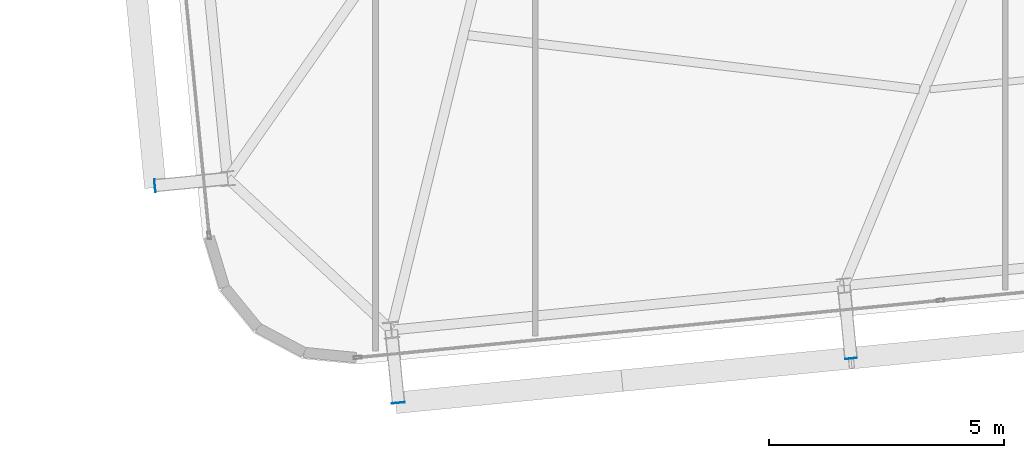
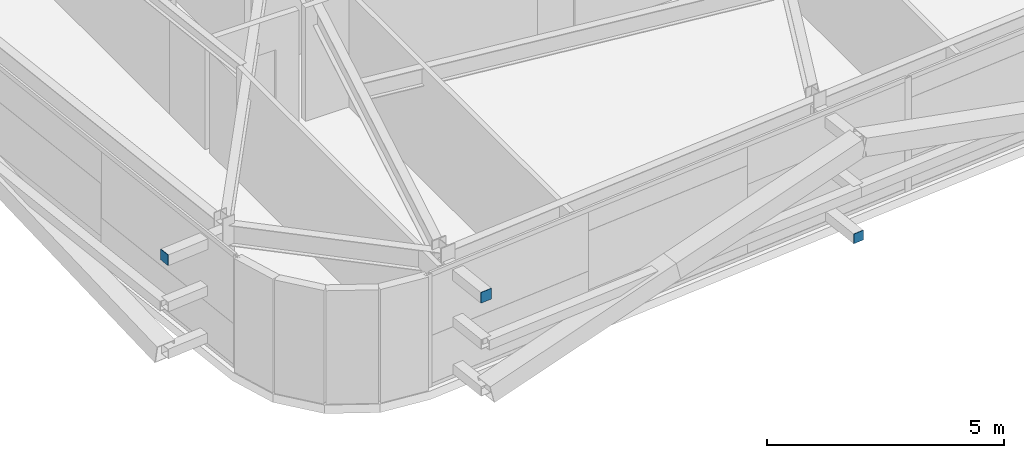
# One storey, part 33 of 47: 3 plates.
"""IFC4 building model written with IfcOpenShell, lengths in metres."""

from ifc_helpers import new_model, si_unit, direction, frame, origin, origin_2d, place, context, subcontext, project, spatial, rectangle, extrude, source, transform, mapped, material, layer, layer_set, type_object, element, save


model = new_model("IFC4")

# Units and contexts
model_context = context("Model", 3, precision=1e-05, world=origin(), true_north=direction((0.0, 1.0)))
body_context = subcontext(model_context, "Body", "Model", "MODEL_VIEW")
ifc_project = project(units=[si_unit("LENGTHUNIT", "METRE"), si_unit("AREAUNIT", "SQUARE_METRE"), si_unit("VOLUMEUNIT", "CUBIC_METRE"), si_unit("PLANEANGLEUNIT", "RADIAN"), si_unit("MASSUNIT", "GRAM", prefix="KILO")], contexts=[model_context])

# Site, building, storey
site_placement = place(None, origin())
site = spatial("IfcSite", under=ifc_project, at=site_placement, CompositionType="ELEMENT")
building_placement = place(site_placement, origin())
building = spatial("IfcBuilding", under=site, at=building_placement, Name="Taldren Reach Tower", CompositionType="ELEMENT")
storey_placement = place(building_placement, frame((0.0, 0.0, 106.050048828125)))
storey = spatial("IfcBuildingStorey", under=building, at=storey_placement, Name="L32", CompositionType="ELEMENT", Elevation=106.050048828125)

# Plates
ifc_material_1 = material(Name="Steel Gr 450 (C450L0)", Category="steel")
ifc_layer_1 = layer(ifc_material_1, 0.011962890625)
ifc_layer_set_1 = layer_set([ifc_layer_1], Name="Steel Gr 450 (C450L0)")
plate_type_1 = type_object("IfcPlateType", Name="PL-CAP-275", PredefinedType="SHEET", material=ifc_layer_set_1)
shared_shape_1 = source(origin(), body_context, "Body", "SweptSolid", [
    extrude(rectangle(XDim=0.27490234375, YDim=0.011962890625, at=origin_2d()), origin(), (0.0, 0.0, 1.0), 0.27490234375),
])
plate_1_placement = place(storey_placement, frame((15.0859375, -1.62841796875, 2.512451171875), z_axis=(0.0, 0.0, 1.0), x_axis=(0.995227399982, 0.097582899759, 0.0)))
element("IfcPlate", 1, at=plate_1_placement, inside=storey, type_object=plate_type_1, Name="Tie strut end cap plate B2-S1 L32", PredefinedType="SHEET", context=body_context, shape_type="MappedRepresentation", body=[
    mapped(shared_shape_1, transform((0.0, 0.0, 0.0), scale=1.0)),
])
shared_shape_2 = source(origin(), body_context, "Body", "SweptSolid", [
    extrude(rectangle(XDim=0.011962890625, YDim=0.27490234375, at=origin_2d()), origin(), (0.0, 0.0, 1.0), 0.27490234375),
])
plate_2_placement = place(storey_placement, frame((9.904296875, 2.993896484375, 2.512451171875), z_axis=(0.0, 0.0, 1.0), x_axis=(0.995227399982, 0.097582899759, 0.0)))
element("IfcPlate", 2, at=plate_2_placement, inside=storey, type_object=plate_type_1, Name="Tie strut end cap plate B2-W1 L32", PredefinedType="SHEET", context=body_context, shape_type="MappedRepresentation", body=[
    mapped(shared_shape_2, transform((0.0, 0.0, 0.0), scale=1.0)),
])
ifc_material_2 = material(Name="Steel Gr 350 (C350L0)", Category="steel")
ifc_layer_2 = layer(ifc_material_2, 0.011962890625)
ifc_layer_set_2 = layer_set([ifc_layer_2], Name="Steel Gr 350 (C350L0)")
plate_type_2 = type_object("IfcPlateType", Name="PL-CAP-250", PredefinedType="SHEET", material=ifc_layer_set_2)
shared_shape_3 = source(origin(), body_context, "Body", "SweptSolid", [
    extrude(rectangle(XDim=0.25, YDim=0.011962890625, at=origin_2d()), origin(), (0.0, 0.0, 1.0), 0.25),
])
plate_3_placement = place(storey_placement, frame((24.7197265625, -0.683837890625, 0.094970703125), z_axis=(0.0, 0.0, 1.0), x_axis=(0.995227399982, 0.097582899759, 0.0)))
element("IfcPlate", 3, at=plate_3_placement, inside=storey, type_object=plate_type_2, Name="Tie strut end cap plate B2-S2 L32", PredefinedType="SHEET", context=body_context, shape_type="MappedRepresentation", body=[
    mapped(shared_shape_3, transform((0.0, 0.0, 0.0), scale=1.0)),
])

save(model, "model.ifc")
